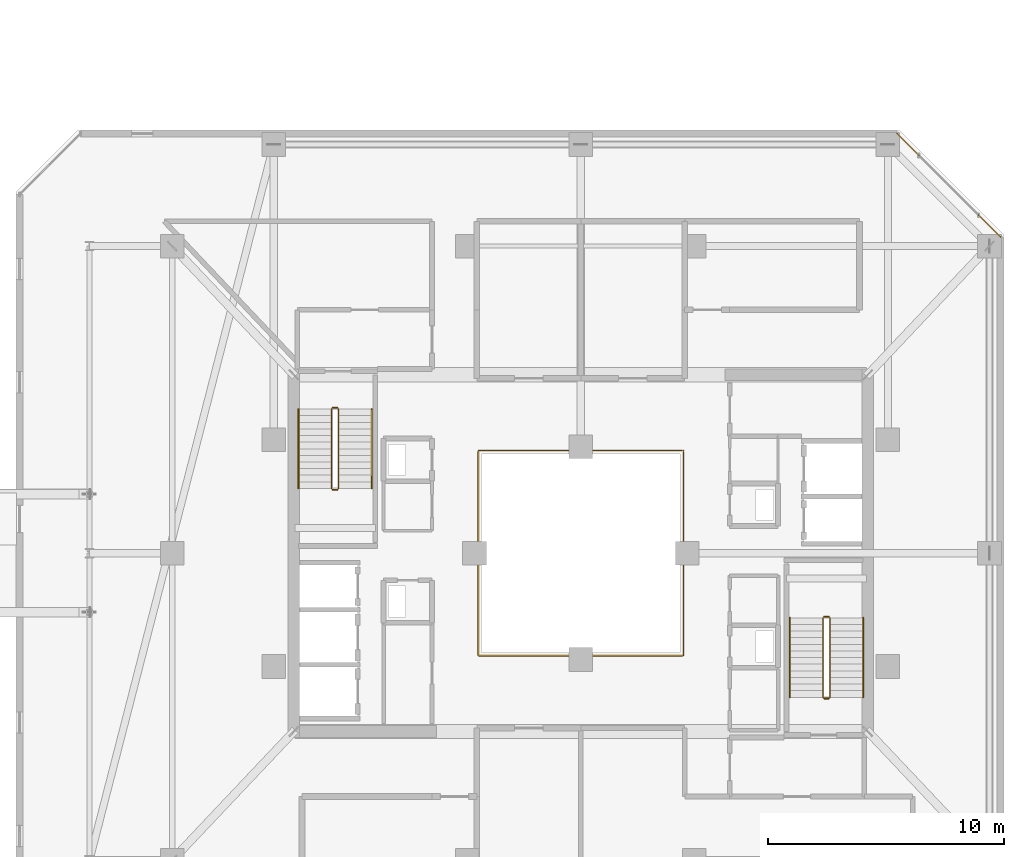
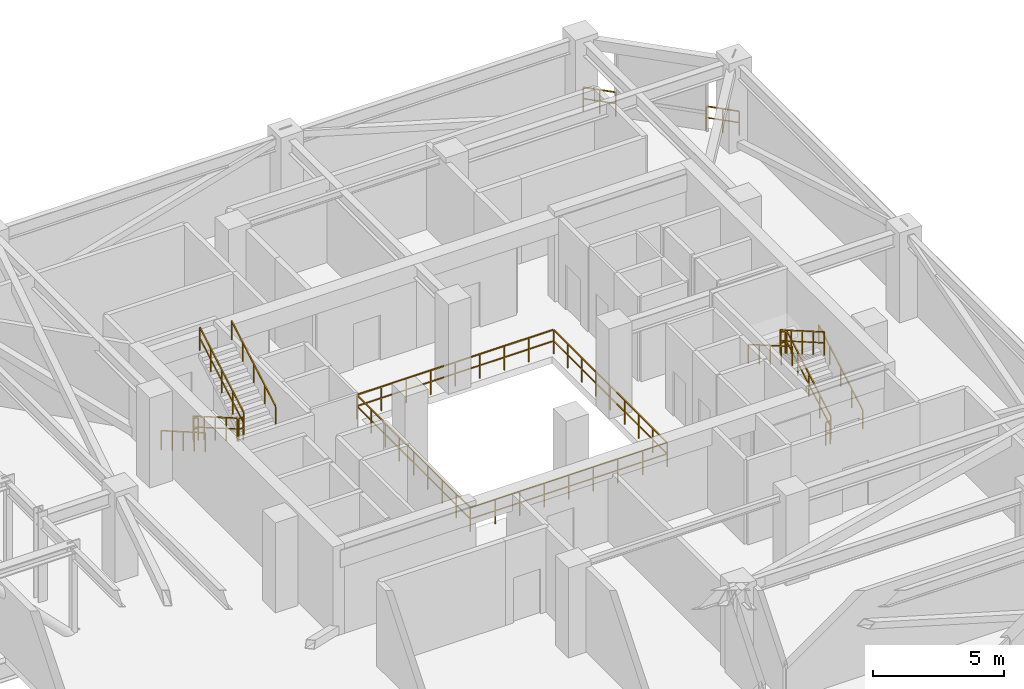
# One storey, part 42 of 42: 15 railings.
"""IFC4 building model written with IfcOpenShell, lengths in metres."""

from ifc_helpers import new_model, si_unit, direction, frame, origin, origin_2d, place, context, subcontext, project, spatial, rectangle, extrude, material, type_object, element, save


model = new_model("IFC4")

# Units and contexts
model_context = context("Model", 3, precision=1e-05, world=origin(), true_north=direction((0.0, 1.0)))
body_context = subcontext(model_context, "Body", "Model", "MODEL_VIEW")
ifc_project = project(units=[si_unit("LENGTHUNIT", "METRE"), si_unit("AREAUNIT", "SQUARE_METRE"), si_unit("VOLUMEUNIT", "CUBIC_METRE"), si_unit("PLANEANGLEUNIT", "RADIAN"), si_unit("MASSUNIT", "GRAM", prefix="KILO")], contexts=[model_context])

# Site, building, storey
site_placement = place(None, origin())
site = spatial("IfcSite", under=ifc_project, at=site_placement, CompositionType="ELEMENT")
building_placement = place(site_placement, origin())
building = spatial("IfcBuilding", under=site, at=building_placement, Name="Thornwick Lancets Civic Towers", CompositionType="ELEMENT")
storey_placement = place(building_placement, frame((0.0, 0.0, 221.699951171875)))
storey = spatial("IfcBuildingStorey", under=building, at=storey_placement, Name="L59", CompositionType="ELEMENT", Elevation=221.699951171875)

# Railings
ifc_material_1 = material(Name="Laminated glass and bronze steel S355", Category="steel")
railing_type_1 = type_object("IfcRailingType", Name="RAIL_ATRIUM_GUARD", PredefinedType="BALUSTRADE", material=ifc_material_1)
railing_1_placement = place(storey_placement, frame((84.159912109375, 22.659912109375, 0.0)))
element("IfcRailing", 1, at=railing_1_placement, inside=storey, type_object=railing_type_1, Name="L59 Tower B Central Atrium Guard Balustrade", PredefinedType="BALUSTRADE", context=body_context, shape_type="SweptSolid", body=[
    extrude(rectangle(XDim=0.048095703125, YDim=0.048095703125, at=origin_2d()), frame((0.0, 0.0, 1.1259765625), z_axis=(1.0, 0.0, 0.0), x_axis=(0.0, 1.0, 0.0)), (0.0, 0.0, 1.0), 8.64892578125),
    extrude(rectangle(XDim=0.0419921875, YDim=0.0419921875, at=origin_2d()), frame((0.03759765625, 0.0, 0.597900390625), z_axis=(1.0, 0.0, 0.0), x_axis=(0.0, 1.0, 0.0)), (0.0, 0.0, 1.0), 1.010009765625),
    extrude(rectangle(XDim=0.0419921875, YDim=0.0419921875, at=origin_2d()), frame((1.12255859375, 0.0, 0.597900390625), z_axis=(1.0, 0.0, 0.0), x_axis=(0.0, 1.0, 0.0)), (0.0, 0.0, 1.0), 1.010009765625),
    extrude(rectangle(XDim=0.0419921875, YDim=0.0419921875, at=origin_2d()), frame((2.20751953125, 0.0, 0.597900390625), z_axis=(1.0, 0.0, 0.0), x_axis=(0.0, 1.0, 0.0)), (0.0, 0.0, 1.0), 1.010009765625),
    extrude(rectangle(XDim=0.0419921875, YDim=0.0419921875, at=origin_2d()), frame((3.29248046875, 0.0, 0.597900390625), z_axis=(1.0, 0.0, 0.0), x_axis=(0.0, 1.0, 0.0)), (0.0, 0.0, 1.0), 1.010009765625),
    extrude(rectangle(XDim=0.0419921875, YDim=0.0419921875, at=origin_2d()), frame((4.377685546875, 0.0, 0.597900390625), z_axis=(1.0, 0.0, 0.0), x_axis=(0.0, 1.0, 0.0)), (0.0, 0.0, 1.0), 1.010009765625),
    extrude(rectangle(XDim=0.0419921875, YDim=0.0419921875, at=origin_2d()), frame((5.462646484375, 0.0, 0.597900390625), z_axis=(1.0, 0.0, 0.0), x_axis=(0.0, 1.0, 0.0)), (0.0, 0.0, 1.0), 1.010009765625),
    extrude(rectangle(XDim=0.0419921875, YDim=0.0419921875, at=origin_2d()), frame((6.547607421875, 0.0, 0.597900390625), z_axis=(1.0, 0.0, 0.0), x_axis=(0.0, 1.0, 0.0)), (0.0, 0.0, 1.0), 1.010009765625),
    extrude(rectangle(XDim=0.0419921875, YDim=0.0419921875, at=origin_2d()), frame((7.632568359375, 0.0, 0.597900390625), z_axis=(1.0, 0.0, 0.0), x_axis=(0.0, 1.0, 0.0)), (0.0, 0.0, 1.0), 1.010009765625),
    extrude(rectangle(XDim=0.048095703125, YDim=0.048095703125, at=origin_2d()), frame((8.68017578125, 0.03125, 1.1259765625), z_axis=(0.0, 1.0, 0.0), x_axis=(-1.0, 0.0, 0.0)), (0.0, 0.0, 1.0), 8.61767578125),
    extrude(rectangle(XDim=0.0419921875, YDim=0.0419921875, at=origin_2d()), frame((8.68017578125, 0.03759765625, 0.597900390625), z_axis=(0.0, 1.0, 0.0), x_axis=(-1.0, 0.0, 0.0)), (0.0, 0.0, 1.0), 1.010009765625),
    extrude(rectangle(XDim=0.0419921875, YDim=0.0419921875, at=origin_2d()), frame((8.68017578125, 1.12255859375, 0.597900390625), z_axis=(0.0, 1.0, 0.0), x_axis=(-1.0, 0.0, 0.0)), (0.0, 0.0, 1.0), 1.010009765625),
    extrude(rectangle(XDim=0.0419921875, YDim=0.0419921875, at=origin_2d()), frame((8.68017578125, 2.20751953125, 0.597900390625), z_axis=(0.0, 1.0, 0.0), x_axis=(-1.0, 0.0, 0.0)), (0.0, 0.0, 1.0), 1.010009765625),
    extrude(rectangle(XDim=0.0419921875, YDim=0.0419921875, at=origin_2d()), frame((8.68017578125, 3.29248046875, 0.597900390625), z_axis=(0.0, 1.0, 0.0), x_axis=(-1.0, 0.0, 0.0)), (0.0, 0.0, 1.0), 1.010009765625),
    extrude(rectangle(XDim=0.0419921875, YDim=0.0419921875, at=origin_2d()), frame((8.68017578125, 4.377685546875, 0.597900390625), z_axis=(0.0, 1.0, 0.0), x_axis=(-1.0, 0.0, 0.0)), (0.0, 0.0, 1.0), 1.010009765625),
    extrude(rectangle(XDim=0.0419921875, YDim=0.0419921875, at=origin_2d()), frame((8.68017578125, 5.462646484375, 0.597900390625), z_axis=(0.0, 1.0, 0.0), x_axis=(-1.0, 0.0, 0.0)), (0.0, 0.0, 1.0), 1.010009765625),
    extrude(rectangle(XDim=0.0419921875, YDim=0.0419921875, at=origin_2d()), frame((8.68017578125, 6.547607421875, 0.597900390625), z_axis=(0.0, 1.0, 0.0), x_axis=(-1.0, 0.0, 0.0)), (0.0, 0.0, 1.0), 1.010009765625),
    extrude(rectangle(XDim=0.0419921875, YDim=0.0419921875, at=origin_2d()), frame((8.68017578125, 7.632568359375, 0.597900390625), z_axis=(0.0, 1.0, 0.0), x_axis=(-1.0, 0.0, 0.0)), (0.0, 0.0, 1.0), 1.010009765625),
    extrude(rectangle(XDim=0.048095703125, YDim=0.048095703125, at=origin_2d()), frame((8.64892578125, 8.68017578125, 1.1259765625), z_axis=(-1.0, 0.0, 0.0), x_axis=(0.0, -1.0, 0.0)), (0.0, 0.0, 1.0), 8.61767578125),
    extrude(rectangle(XDim=0.0419921875, YDim=0.0419921875, at=origin_2d()), frame((8.642578125, 8.68017578125, 0.597900390625), z_axis=(-1.0, 0.0, 0.0), x_axis=(0.0, -1.0, 0.0)), (0.0, 0.0, 1.0), 1.010009765625),
    extrude(rectangle(XDim=0.0419921875, YDim=0.0419921875, at=origin_2d()), frame((7.5576171875, 8.68017578125, 0.597900390625), z_axis=(-1.0, 0.0, 0.0), x_axis=(0.0, -1.0, 0.0)), (0.0, 0.0, 1.0), 1.010009765625),
    extrude(rectangle(XDim=0.0419921875, YDim=0.0419921875, at=origin_2d()), frame((6.47265625, 8.68017578125, 0.597900390625), z_axis=(-1.0, 0.0, 0.0), x_axis=(0.0, -1.0, 0.0)), (0.0, 0.0, 1.0), 1.010009765625),
    extrude(rectangle(XDim=0.0419921875, YDim=0.0419921875, at=origin_2d()), frame((5.3876953125, 8.68017578125, 0.597900390625), z_axis=(-1.0, 0.0, 0.0), x_axis=(0.0, -1.0, 0.0)), (0.0, 0.0, 1.0), 1.010009765625),
    extrude(rectangle(XDim=0.0419921875, YDim=0.0419921875, at=origin_2d()), frame((4.302490234375, 8.68017578125, 0.597900390625), z_axis=(-1.0, 0.0, 0.0), x_axis=(0.0, -1.0, 0.0)), (0.0, 0.0, 1.0), 1.010009765625),
    extrude(rectangle(XDim=0.0419921875, YDim=0.0419921875, at=origin_2d()), frame((3.217529296875, 8.68017578125, 0.597900390625), z_axis=(-1.0, 0.0, 0.0), x_axis=(0.0, -1.0, 0.0)), (0.0, 0.0, 1.0), 1.010009765625),
    extrude(rectangle(XDim=0.0419921875, YDim=0.0419921875, at=origin_2d()), frame((2.132568359375, 8.68017578125, 0.597900390625), z_axis=(-1.0, 0.0, 0.0), x_axis=(0.0, -1.0, 0.0)), (0.0, 0.0, 1.0), 1.010009765625),
    extrude(rectangle(XDim=0.0419921875, YDim=0.0419921875, at=origin_2d()), frame((1.047607421875, 8.68017578125, 0.597900390625), z_axis=(-1.0, 0.0, 0.0), x_axis=(0.0, -1.0, 0.0)), (0.0, 0.0, 1.0), 1.010009765625),
    extrude(rectangle(XDim=0.048095703125, YDim=0.048095703125, at=origin_2d()), frame((0.0, 8.64892578125, 1.1259765625), z_axis=(0.0, -1.0, 0.0), x_axis=(1.0, 0.0, 0.0)), (0.0, 0.0, 1.0), 8.64892578125),
    extrude(rectangle(XDim=0.0419921875, YDim=0.0419921875, at=origin_2d()), frame((0.0, 8.642578125, 0.597900390625), z_axis=(0.0, -1.0, 0.0), x_axis=(1.0, 0.0, 0.0)), (0.0, 0.0, 1.0), 1.010009765625),
    extrude(rectangle(XDim=0.0419921875, YDim=0.0419921875, at=origin_2d()), frame((0.0, 7.5576171875, 0.597900390625), z_axis=(0.0, -1.0, 0.0), x_axis=(1.0, 0.0, 0.0)), (0.0, 0.0, 1.0), 1.010009765625),
    extrude(rectangle(XDim=0.0419921875, YDim=0.0419921875, at=origin_2d()), frame((0.0, 6.47265625, 0.597900390625), z_axis=(0.0, -1.0, 0.0), x_axis=(1.0, 0.0, 0.0)), (0.0, 0.0, 1.0), 1.010009765625),
    extrude(rectangle(XDim=0.0419921875, YDim=0.0419921875, at=origin_2d()), frame((0.0, 5.3876953125, 0.597900390625), z_axis=(0.0, -1.0, 0.0), x_axis=(1.0, 0.0, 0.0)), (0.0, 0.0, 1.0), 1.010009765625),
    extrude(rectangle(XDim=0.0419921875, YDim=0.0419921875, at=origin_2d()), frame((0.0, 4.302490234375, 0.597900390625), z_axis=(0.0, -1.0, 0.0), x_axis=(1.0, 0.0, 0.0)), (0.0, 0.0, 1.0), 1.010009765625),
    extrude(rectangle(XDim=0.0419921875, YDim=0.0419921875, at=origin_2d()), frame((0.0, 3.217529296875, 0.597900390625), z_axis=(0.0, -1.0, 0.0), x_axis=(1.0, 0.0, 0.0)), (0.0, 0.0, 1.0), 1.010009765625),
    extrude(rectangle(XDim=0.0419921875, YDim=0.0419921875, at=origin_2d()), frame((0.0, 2.132568359375, 0.597900390625), z_axis=(0.0, -1.0, 0.0), x_axis=(1.0, 0.0, 0.0)), (0.0, 0.0, 1.0), 1.010009765625),
    extrude(rectangle(XDim=0.0419921875, YDim=0.0419921875, at=origin_2d()), frame((0.0, 1.047607421875, 0.597900390625), z_axis=(0.0, -1.0, 0.0), x_axis=(1.0, 0.0, 0.0)), (0.0, 0.0, 1.0), 1.010009765625),
    extrude(rectangle(XDim=0.0419921875, YDim=0.0419921875, at=origin_2d()), origin(), (0.0, 0.0, 1.0), 1.095703125),
    extrude(rectangle(XDim=0.0419921875, YDim=0.0419921875, at=origin_2d()), frame((1.0849609375, 0.0, 0.0)), (0.0, 0.0, 1.0), 1.095703125),
    extrude(rectangle(XDim=0.0419921875, YDim=0.0419921875, at=origin_2d()), frame((2.169921875, 0.0, 0.0)), (0.0, 0.0, 1.0), 1.095703125),
    extrude(rectangle(XDim=0.0419921875, YDim=0.0419921875, at=origin_2d()), frame((3.255126953125, 0.0, 0.0)), (0.0, 0.0, 1.0), 1.095703125),
    extrude(rectangle(XDim=0.0419921875, YDim=0.0419921875, at=origin_2d()), frame((4.340087890625, 0.0, 0.0)), (0.0, 0.0, 1.0), 1.095703125),
    extrude(rectangle(XDim=0.0419921875, YDim=0.0419921875, at=origin_2d()), frame((5.425048828125, 0.0, 0.0)), (0.0, 0.0, 1.0), 1.095703125),
    extrude(rectangle(XDim=0.0419921875, YDim=0.0419921875, at=origin_2d()), frame((6.51025390625, 0.0, 0.0)), (0.0, 0.0, 1.0), 1.095703125),
    extrude(rectangle(XDim=0.0419921875, YDim=0.0419921875, at=origin_2d()), frame((7.59521484375, 0.0, 0.0)), (0.0, 0.0, 1.0), 1.095703125),
    extrude(rectangle(XDim=0.0419921875, YDim=0.0419921875, at=origin_2d()), frame((8.68017578125, 0.0, 0.0)), (0.0, 0.0, 1.0), 1.095703125),
    extrude(rectangle(XDim=0.0419921875, YDim=0.0419921875, at=origin_2d()), frame((8.68017578125, 1.0849609375, 0.0)), (0.0, 0.0, 1.0), 1.095703125),
    extrude(rectangle(XDim=0.0419921875, YDim=0.0419921875, at=origin_2d()), frame((8.68017578125, 2.169921875, 0.0)), (0.0, 0.0, 1.0), 1.095703125),
    extrude(rectangle(XDim=0.0419921875, YDim=0.0419921875, at=origin_2d()), frame((8.68017578125, 3.255126953125, 0.0)), (0.0, 0.0, 1.0), 1.095703125),
    extrude(rectangle(XDim=0.0419921875, YDim=0.0419921875, at=origin_2d()), frame((8.68017578125, 4.340087890625, 0.0)), (0.0, 0.0, 1.0), 1.095703125),
    extrude(rectangle(XDim=0.0419921875, YDim=0.0419921875, at=origin_2d()), frame((8.68017578125, 5.425048828125, 0.0)), (0.0, 0.0, 1.0), 1.095703125),
    extrude(rectangle(XDim=0.0419921875, YDim=0.0419921875, at=origin_2d()), frame((8.68017578125, 6.51025390625, 0.0)), (0.0, 0.0, 1.0), 1.095703125),
    extrude(rectangle(XDim=0.0419921875, YDim=0.0419921875, at=origin_2d()), frame((8.68017578125, 7.59521484375, 0.0)), (0.0, 0.0, 1.0), 1.095703125),
    extrude(rectangle(XDim=0.0419921875, YDim=0.0419921875, at=origin_2d()), frame((8.68017578125, 8.68017578125, 0.0)), (0.0, 0.0, 1.0), 1.095703125),
    extrude(rectangle(XDim=0.0419921875, YDim=0.0419921875, at=origin_2d()), frame((7.59521484375, 8.68017578125, 0.0)), (0.0, 0.0, 1.0), 1.095703125),
    extrude(rectangle(XDim=0.0419921875, YDim=0.0419921875, at=origin_2d()), frame((6.51025390625, 8.68017578125, 0.0)), (0.0, 0.0, 1.0), 1.095703125),
    extrude(rectangle(XDim=0.0419921875, YDim=0.0419921875, at=origin_2d()), frame((5.425048828125, 8.68017578125, 0.0)), (0.0, 0.0, 1.0), 1.095703125),
    extrude(rectangle(XDim=0.0419921875, YDim=0.0419921875, at=origin_2d()), frame((4.340087890625, 8.68017578125, 0.0)), (0.0, 0.0, 1.0), 1.095703125),
    extrude(rectangle(XDim=0.0419921875, YDim=0.0419921875, at=origin_2d()), frame((3.255126953125, 8.68017578125, 0.0)), (0.0, 0.0, 1.0), 1.095703125),
    extrude(rectangle(XDim=0.0419921875, YDim=0.0419921875, at=origin_2d()), frame((2.169921875, 8.68017578125, 0.0)), (0.0, 0.0, 1.0), 1.095703125),
    extrude(rectangle(XDim=0.0419921875, YDim=0.0419921875, at=origin_2d()), frame((1.0849609375, 8.68017578125, 0.0)), (0.0, 0.0, 1.0), 1.095703125),
    extrude(rectangle(XDim=0.0419921875, YDim=0.0419921875, at=origin_2d()), frame((0.0, 8.68017578125, 0.0)), (0.0, 0.0, 1.0), 1.095703125),
    extrude(rectangle(XDim=0.0419921875, YDim=0.0419921875, at=origin_2d()), frame((0.0, 7.59521484375, 0.0)), (0.0, 0.0, 1.0), 1.095703125),
    extrude(rectangle(XDim=0.0419921875, YDim=0.0419921875, at=origin_2d()), frame((0.0, 6.51025390625, 0.0)), (0.0, 0.0, 1.0), 1.095703125),
    extrude(rectangle(XDim=0.0419921875, YDim=0.0419921875, at=origin_2d()), frame((0.0, 5.425048828125, 0.0)), (0.0, 0.0, 1.0), 1.095703125),
    extrude(rectangle(XDim=0.0419921875, YDim=0.0419921875, at=origin_2d()), frame((0.0, 4.340087890625, 0.0)), (0.0, 0.0, 1.0), 1.095703125),
    extrude(rectangle(XDim=0.0419921875, YDim=0.0419921875, at=origin_2d()), frame((0.0, 3.255126953125, 0.0)), (0.0, 0.0, 1.0), 1.095703125),
    extrude(rectangle(XDim=0.0419921875, YDim=0.0419921875, at=origin_2d()), frame((0.0, 2.169921875, 0.0)), (0.0, 0.0, 1.0), 1.095703125),
    extrude(rectangle(XDim=0.0419921875, YDim=0.0419921875, at=origin_2d()), frame((0.0, 1.0849609375, 0.0)), (0.0, 0.0, 1.0), 1.095703125),
])
ifc_material_2 = material(Name="Brushed stainless steel S355", Category="steel")
railing_type_2 = type_object("IfcRailingType", Name="RAIL_HANDRAIL", PredefinedType="HANDRAIL", material=ifc_material_2)
railing_2_placement = place(storey_placement, frame((100.449951171875, 20.89990234375, 0.16162109375)))
element("IfcRailing", 2, at=railing_2_placement, inside=storey, type_object=railing_type_2, Name="L59 ST-B1 stair handrail 1", PredefinedType="HANDRAIL", context=body_context, shape_type="SweptSolid", body=[
    extrude(rectangle(XDim=0.048095703125, YDim=0.048095703125, at=origin_2d()), frame((0.0, 0.0, 0.8857421875), z_axis=(0.0, 0.866190824863, 0.499713372768), x_axis=(-1.0, 0.0, 0.0)), (0.0, 0.0, 1.0), 3.879150390625),
    extrude(rectangle(XDim=0.0419921875, YDim=0.0419921875, at=origin_2d()), origin(), (0.0, 0.0, 1.0), 0.855712890625),
    extrude(rectangle(XDim=0.0419921875, YDim=0.0419921875, at=origin_2d()), frame((0.0, 0.840087890625, 0.484619140625)), (0.0, 0.0, 1.0), 0.855712890625),
    extrude(rectangle(XDim=0.0419921875, YDim=0.0419921875, at=origin_2d()), frame((0.0, 1.68017578125, 0.96923828125)), (0.0, 0.0, 1.0), 0.855712890625),
    extrude(rectangle(XDim=0.0419921875, YDim=0.0419921875, at=origin_2d()), frame((0.0, 2.52001953125, 1.453857421875)), (0.0, 0.0, 1.0), 0.855712890625),
    extrude(rectangle(XDim=0.0419921875, YDim=0.0419921875, at=origin_2d()), frame((0.0, 3.360107421875, 1.9384765625)), (0.0, 0.0, 1.0), 0.855712890625),
])
for number, where, name in (
    (3, (97.35009765625, 24.260009765625, 2.261474609375), "L59 ST-B1 stair handrail 2"),
    (4, (76.550048828125, 33.10009765625, 0.16162109375), "L59 ST-B2 stair handrail 1"),
):
    element("IfcRailing", number, at=place(storey_placement, frame(where)), inside=storey, type_object=railing_type_2, Name=name, PredefinedType="HANDRAIL", context=body_context, shape_type="SweptSolid", body=[
        extrude(rectangle(XDim=0.048095703125, YDim=0.048095703125, at=origin_2d()), frame((0.0, 0.0, 0.8857421875), z_axis=(0.0, -0.866190824863, 0.499713372768), x_axis=(1.0, 0.0, 0.0)), (0.0, 0.0, 1.0), 3.879150390625),
        extrude(rectangle(XDim=0.0419921875, YDim=0.0419921875, at=origin_2d()), origin(), (0.0, 0.0, 1.0), 0.855712890625),
        extrude(rectangle(XDim=0.0419921875, YDim=0.0419921875, at=origin_2d()), frame((0.0, -0.840087890625, 0.484619140625)), (0.0, 0.0, 1.0), 0.855712890625),
        extrude(rectangle(XDim=0.0419921875, YDim=0.0419921875, at=origin_2d()), frame((0.0, -1.68017578125, 0.96923828125)), (0.0, 0.0, 1.0), 0.855712890625),
        extrude(rectangle(XDim=0.0419921875, YDim=0.0419921875, at=origin_2d()), frame((0.0, -2.52001953125, 1.453857421875)), (0.0, 0.0, 1.0), 0.855712890625),
        extrude(rectangle(XDim=0.0419921875, YDim=0.0419921875, at=origin_2d()), frame((0.0, -3.360107421875, 1.9384765625)), (0.0, 0.0, 1.0), 0.855712890625),
    ])
railing_3_placement = place(storey_placement, frame((79.64990234375, 29.739990234375, 2.261474609375)))
element("IfcRailing", 5, at=railing_3_placement, inside=storey, type_object=railing_type_2, Name="L59 ST-B2 stair handrail 2", PredefinedType="HANDRAIL", context=body_context, shape_type="SweptSolid", body=[
    extrude(rectangle(XDim=0.048095703125, YDim=0.048095703125, at=origin_2d()), frame((0.0, 0.0, 0.8857421875), z_axis=(0.0, 0.866190824863, 0.499713372768), x_axis=(-1.0, 0.0, 0.0)), (0.0, 0.0, 1.0), 3.879150390625),
    extrude(rectangle(XDim=0.0419921875, YDim=0.0419921875, at=origin_2d()), origin(), (0.0, 0.0, 1.0), 0.855712890625),
    extrude(rectangle(XDim=0.0419921875, YDim=0.0419921875, at=origin_2d()), frame((0.0, 0.840087890625, 0.484619140625)), (0.0, 0.0, 1.0), 0.855712890625),
    extrude(rectangle(XDim=0.0419921875, YDim=0.0419921875, at=origin_2d()), frame((0.0, 1.68017578125, 0.96923828125)), (0.0, 0.0, 1.0), 0.855712890625),
    extrude(rectangle(XDim=0.0419921875, YDim=0.0419921875, at=origin_2d()), frame((0.0, 2.52001953125, 1.453857421875)), (0.0, 0.0, 1.0), 0.855712890625),
    extrude(rectangle(XDim=0.0419921875, YDim=0.0419921875, at=origin_2d()), frame((0.0, 3.360107421875, 1.9384765625)), (0.0, 0.0, 1.0), 0.855712890625),
])
ifc_material_3 = material(Name="Steel S355JR", Category="steel")
railing_type_3 = type_object("IfcRailingType", Name="RAIL_STAIR_GUARD", PredefinedType="GUARDRAIL", material=ifc_material_3)
railing_4_placement = place(storey_placement, frame((99.050048828125, 20.89990234375, 0.16162109375)))
element("IfcRailing", 6, at=railing_4_placement, inside=storey, type_object=railing_type_3, Name="L59 ST-B1 stair guard 1", PredefinedType="GUARDRAIL", context=body_context, shape_type="SweptSolid", body=[
    extrude(rectangle(XDim=0.048095703125, YDim=0.048095703125, at=origin_2d()), frame((0.0, 0.0, 1.076171875), z_axis=(0.0, 0.866190824863, 0.499713372768), x_axis=(-1.0, 0.0, 0.0)), (0.0, 0.0, 1.0), 3.879150390625),
    extrude(rectangle(XDim=0.0419921875, YDim=0.0419921875, at=origin_2d()), frame((0.0, 0.032470703125, 0.5908203125), z_axis=(0.0, 0.866190824863, 0.499713372768), x_axis=(-1.0, 0.0, 0.0)), (0.0, 0.0, 1.0), 0.894775390625),
    extrude(rectangle(XDim=0.0419921875, YDim=0.0419921875, at=origin_2d()), frame((0.0, 0.87255859375, 1.075439453125), z_axis=(0.0, 0.866190824863, 0.499713372768), x_axis=(-1.0, 0.0, 0.0)), (0.0, 0.0, 1.0), 0.894775390625),
    extrude(rectangle(XDim=0.0419921875, YDim=0.0419921875, at=origin_2d()), frame((0.0, 1.712646484375, 1.56005859375), z_axis=(0.0, 0.866190824863, 0.499713372768), x_axis=(-1.0, 0.0, 0.0)), (0.0, 0.0, 1.0), 0.894775390625),
    extrude(rectangle(XDim=0.0419921875, YDim=0.0419921875, at=origin_2d()), frame((0.0, 2.552490234375, 2.044677734375), z_axis=(0.0, 0.866190824863, 0.499713372768), x_axis=(-1.0, 0.0, 0.0)), (0.0, 0.0, 1.0), 0.894775390625),
    extrude(rectangle(XDim=0.0419921875, YDim=0.0419921875, at=origin_2d()), origin(), (0.0, 0.0, 1.0), 1.0458984375),
    extrude(rectangle(XDim=0.0419921875, YDim=0.0419921875, at=origin_2d()), frame((0.0, 0.840087890625, 0.484619140625)), (0.0, 0.0, 1.0), 1.0458984375),
    extrude(rectangle(XDim=0.0419921875, YDim=0.0419921875, at=origin_2d()), frame((0.0, 1.68017578125, 0.96923828125)), (0.0, 0.0, 1.0), 1.0458984375),
    extrude(rectangle(XDim=0.0419921875, YDim=0.0419921875, at=origin_2d()), frame((0.0, 2.52001953125, 1.453857421875)), (0.0, 0.0, 1.0), 1.0458984375),
    extrude(rectangle(XDim=0.0419921875, YDim=0.0419921875, at=origin_2d()), frame((0.0, 3.360107421875, 1.9384765625)), (0.0, 0.0, 1.0), 1.0458984375),
])
railing_5_placement = place(storey_placement, frame((99.0, 24.31005859375, 2.10009765625)))
element("IfcRailing", 7, at=railing_5_placement, inside=storey, type_object=railing_type_3, Name="L59 ST-B1 stair guard 2", PredefinedType="GUARDRAIL", context=body_context, shape_type="SweptSolid", body=[
    extrude(rectangle(XDim=0.048095703125, YDim=0.048095703125, at=origin_2d()), frame((0.0, 0.0, 1.076171875), z_axis=(-1.0, 0.0, 0.0), x_axis=(0.0, -1.0, 0.0)), (0.0, 0.0, 1.0), 0.199951171875),
    extrude(rectangle(XDim=0.0419921875, YDim=0.0419921875, at=origin_2d()), frame((-0.03759765625, 0.0, 0.572021484375), z_axis=(-1.0, 0.0, 0.0), x_axis=(0.0, -1.0, 0.0)), (0.0, 0.0, 1.0), 0.125),
    extrude(rectangle(XDim=0.0419921875, YDim=0.0419921875, at=origin_2d()), origin(), (0.0, 0.0, 1.0), 1.0458984375),
    extrude(rectangle(XDim=0.0419921875, YDim=0.0419921875, at=origin_2d()), frame((-0.199951171875, 0.0, 0.0)), (0.0, 0.0, 1.0), 1.0458984375),
])
railing_6_placement = place(storey_placement, frame((98.75, 24.260009765625, 2.261474609375)))
element("IfcRailing", 8, at=railing_6_placement, inside=storey, type_object=railing_type_3, Name="L59 ST-B1 stair guard 3", PredefinedType="GUARDRAIL", context=body_context, shape_type="SweptSolid", body=[
    extrude(rectangle(XDim=0.048095703125, YDim=0.048095703125, at=origin_2d()), frame((0.0, 0.0, 1.076171875), z_axis=(0.0, -0.866190824863, 0.499713372768), x_axis=(1.0, 0.0, 0.0)), (0.0, 0.0, 1.0), 3.879150390625),
    extrude(rectangle(XDim=0.0419921875, YDim=0.0419921875, at=origin_2d()), frame((0.0, -0.032470703125, 0.5908203125), z_axis=(0.0, -0.866190824863, 0.499713372768), x_axis=(1.0, 0.0, 0.0)), (0.0, 0.0, 1.0), 0.894775390625),
    extrude(rectangle(XDim=0.0419921875, YDim=0.0419921875, at=origin_2d()), frame((0.0, -0.87255859375, 1.075439453125), z_axis=(0.0, -0.866190824863, 0.499713372768), x_axis=(1.0, 0.0, 0.0)), (0.0, 0.0, 1.0), 0.894775390625),
    extrude(rectangle(XDim=0.0419921875, YDim=0.0419921875, at=origin_2d()), frame((0.0, -1.712646484375, 1.56005859375), z_axis=(0.0, -0.866190824863, 0.499713372768), x_axis=(1.0, 0.0, 0.0)), (0.0, 0.0, 1.0), 0.894775390625),
    extrude(rectangle(XDim=0.0419921875, YDim=0.0419921875, at=origin_2d()), frame((0.0, -2.552490234375, 2.044677734375), z_axis=(0.0, -0.866190824863, 0.499713372768), x_axis=(1.0, 0.0, 0.0)), (0.0, 0.0, 1.0), 0.894775390625),
    extrude(rectangle(XDim=0.0419921875, YDim=0.0419921875, at=origin_2d()), origin(), (0.0, 0.0, 1.0), 1.0458984375),
    extrude(rectangle(XDim=0.0419921875, YDim=0.0419921875, at=origin_2d()), frame((0.0, -0.840087890625, 0.484619140625)), (0.0, 0.0, 1.0), 1.0458984375),
    extrude(rectangle(XDim=0.0419921875, YDim=0.0419921875, at=origin_2d()), frame((0.0, -1.68017578125, 0.96923828125)), (0.0, 0.0, 1.0), 1.0458984375),
    extrude(rectangle(XDim=0.0419921875, YDim=0.0419921875, at=origin_2d()), frame((0.0, -2.52001953125, 1.453857421875)), (0.0, 0.0, 1.0), 1.0458984375),
    extrude(rectangle(XDim=0.0419921875, YDim=0.0419921875, at=origin_2d()), frame((0.0, -3.360107421875, 1.9384765625)), (0.0, 0.0, 1.0), 1.0458984375),
])
railing_7_placement = place(storey_placement, frame((99.0, 20.85009765625, 0.0)))
element("IfcRailing", 9, at=railing_7_placement, inside=storey, type_object=railing_type_3, Name="L59 ST-B1 stair guard 4", PredefinedType="GUARDRAIL", context=body_context, shape_type="SweptSolid", body=[
    extrude(rectangle(XDim=0.048095703125, YDim=0.048095703125, at=origin_2d()), frame((0.0, 0.0, 1.076171875), z_axis=(-1.0, 0.0, 0.0), x_axis=(0.0, -1.0, 0.0)), (0.0, 0.0, 1.0), 0.199951171875),
    extrude(rectangle(XDim=0.0419921875, YDim=0.0419921875, at=origin_2d()), frame((-0.03759765625, 0.0, 0.572021484375), z_axis=(-1.0, 0.0, 0.0), x_axis=(0.0, -1.0, 0.0)), (0.0, 0.0, 1.0), 0.125),
    extrude(rectangle(XDim=0.0419921875, YDim=0.0419921875, at=origin_2d()), origin(), (0.0, 0.0, 1.0), 1.0458984375),
    extrude(rectangle(XDim=0.0419921875, YDim=0.0419921875, at=origin_2d()), frame((-0.199951171875, 0.0, 0.0)), (0.0, 0.0, 1.0), 1.0458984375),
])
railing_8_placement = place(storey_placement, frame((77.949951171875, 33.10009765625, 0.16162109375)))
element("IfcRailing", 10, at=railing_8_placement, inside=storey, type_object=railing_type_3, Name="L59 ST-B2 stair guard 1", PredefinedType="GUARDRAIL", context=body_context, shape_type="SweptSolid", body=[
    extrude(rectangle(XDim=0.048095703125, YDim=0.048095703125, at=origin_2d()), frame((0.0, 0.0, 1.076171875), z_axis=(0.0, -0.866190824863, 0.499713372768), x_axis=(1.0, 0.0, 0.0)), (0.0, 0.0, 1.0), 3.879150390625),
    extrude(rectangle(XDim=0.0419921875, YDim=0.0419921875, at=origin_2d()), frame((0.0, -0.032470703125, 0.5908203125), z_axis=(0.0, -0.866190824863, 0.499713372768), x_axis=(1.0, 0.0, 0.0)), (0.0, 0.0, 1.0), 0.894775390625),
    extrude(rectangle(XDim=0.0419921875, YDim=0.0419921875, at=origin_2d()), frame((0.0, -0.87255859375, 1.075439453125), z_axis=(0.0, -0.866190824863, 0.499713372768), x_axis=(1.0, 0.0, 0.0)), (0.0, 0.0, 1.0), 0.894775390625),
    extrude(rectangle(XDim=0.0419921875, YDim=0.0419921875, at=origin_2d()), frame((0.0, -1.712646484375, 1.56005859375), z_axis=(0.0, -0.866190824863, 0.499713372768), x_axis=(1.0, 0.0, 0.0)), (0.0, 0.0, 1.0), 0.894775390625),
    extrude(rectangle(XDim=0.0419921875, YDim=0.0419921875, at=origin_2d()), frame((0.0, -2.552490234375, 2.044677734375), z_axis=(0.0, -0.866190824863, 0.499713372768), x_axis=(1.0, 0.0, 0.0)), (0.0, 0.0, 1.0), 0.894775390625),
    extrude(rectangle(XDim=0.0419921875, YDim=0.0419921875, at=origin_2d()), origin(), (0.0, 0.0, 1.0), 1.0458984375),
    extrude(rectangle(XDim=0.0419921875, YDim=0.0419921875, at=origin_2d()), frame((0.0, -0.840087890625, 0.484619140625)), (0.0, 0.0, 1.0), 1.0458984375),
    extrude(rectangle(XDim=0.0419921875, YDim=0.0419921875, at=origin_2d()), frame((0.0, -1.68017578125, 0.96923828125)), (0.0, 0.0, 1.0), 1.0458984375),
    extrude(rectangle(XDim=0.0419921875, YDim=0.0419921875, at=origin_2d()), frame((0.0, -2.52001953125, 1.453857421875)), (0.0, 0.0, 1.0), 1.0458984375),
    extrude(rectangle(XDim=0.0419921875, YDim=0.0419921875, at=origin_2d()), frame((0.0, -3.360107421875, 1.9384765625)), (0.0, 0.0, 1.0), 1.0458984375),
])
railing_9_placement = place(storey_placement, frame((78.0, 29.68994140625, 2.10009765625)))
element("IfcRailing", 11, at=railing_9_placement, inside=storey, type_object=railing_type_3, Name="L59 ST-B2 stair guard 2", PredefinedType="GUARDRAIL", context=body_context, shape_type="SweptSolid", body=[
    extrude(rectangle(XDim=0.048095703125, YDim=0.048095703125, at=origin_2d()), frame((0.0, 0.0, 1.076171875), z_axis=(1.0, 0.0, 0.0), x_axis=(0.0, 1.0, 0.0)), (0.0, 0.0, 1.0), 0.199951171875),
    extrude(rectangle(XDim=0.0419921875, YDim=0.0419921875, at=origin_2d()), frame((0.03759765625, 0.0, 0.572021484375), z_axis=(1.0, 0.0, 0.0), x_axis=(0.0, 1.0, 0.0)), (0.0, 0.0, 1.0), 0.125),
    extrude(rectangle(XDim=0.0419921875, YDim=0.0419921875, at=origin_2d()), origin(), (0.0, 0.0, 1.0), 1.0458984375),
    extrude(rectangle(XDim=0.0419921875, YDim=0.0419921875, at=origin_2d()), frame((0.199951171875, 0.0, 0.0)), (0.0, 0.0, 1.0), 1.0458984375),
])
railing_10_placement = place(storey_placement, frame((78.25, 29.739990234375, 2.261474609375)))
element("IfcRailing", 12, at=railing_10_placement, inside=storey, type_object=railing_type_3, Name="L59 ST-B2 stair guard 3", PredefinedType="GUARDRAIL", context=body_context, shape_type="SweptSolid", body=[
    extrude(rectangle(XDim=0.048095703125, YDim=0.048095703125, at=origin_2d()), frame((0.0, 0.0, 1.076171875), z_axis=(0.0, 0.866190824863, 0.499713372768), x_axis=(-1.0, 0.0, 0.0)), (0.0, 0.0, 1.0), 3.879150390625),
    extrude(rectangle(XDim=0.0419921875, YDim=0.0419921875, at=origin_2d()), frame((0.0, 0.032470703125, 0.5908203125), z_axis=(0.0, 0.866190824863, 0.499713372768), x_axis=(-1.0, 0.0, 0.0)), (0.0, 0.0, 1.0), 0.894775390625),
    extrude(rectangle(XDim=0.0419921875, YDim=0.0419921875, at=origin_2d()), frame((0.0, 0.87255859375, 1.075439453125), z_axis=(0.0, 0.866190824863, 0.499713372768), x_axis=(-1.0, 0.0, 0.0)), (0.0, 0.0, 1.0), 0.894775390625),
    extrude(rectangle(XDim=0.0419921875, YDim=0.0419921875, at=origin_2d()), frame((0.0, 1.712646484375, 1.56005859375), z_axis=(0.0, 0.866190824863, 0.499713372768), x_axis=(-1.0, 0.0, 0.0)), (0.0, 0.0, 1.0), 0.894775390625),
    extrude(rectangle(XDim=0.0419921875, YDim=0.0419921875, at=origin_2d()), frame((0.0, 2.552490234375, 2.044677734375), z_axis=(0.0, 0.866190824863, 0.499713372768), x_axis=(-1.0, 0.0, 0.0)), (0.0, 0.0, 1.0), 0.894775390625),
    extrude(rectangle(XDim=0.0419921875, YDim=0.0419921875, at=origin_2d()), origin(), (0.0, 0.0, 1.0), 1.0458984375),
    extrude(rectangle(XDim=0.0419921875, YDim=0.0419921875, at=origin_2d()), frame((0.0, 0.840087890625, 0.484619140625)), (0.0, 0.0, 1.0), 1.0458984375),
    extrude(rectangle(XDim=0.0419921875, YDim=0.0419921875, at=origin_2d()), frame((0.0, 1.68017578125, 0.96923828125)), (0.0, 0.0, 1.0), 1.0458984375),
    extrude(rectangle(XDim=0.0419921875, YDim=0.0419921875, at=origin_2d()), frame((0.0, 2.52001953125, 1.453857421875)), (0.0, 0.0, 1.0), 1.0458984375),
    extrude(rectangle(XDim=0.0419921875, YDim=0.0419921875, at=origin_2d()), frame((0.0, 3.360107421875, 1.9384765625)), (0.0, 0.0, 1.0), 1.0458984375),
])
railing_11_placement = place(storey_placement, frame((78.0, 33.14990234375, 0.0)))
element("IfcRailing", 13, at=railing_11_placement, inside=storey, type_object=railing_type_3, Name="L59 ST-B2 stair guard 4", PredefinedType="GUARDRAIL", context=body_context, shape_type="SweptSolid", body=[
    extrude(rectangle(XDim=0.048095703125, YDim=0.048095703125, at=origin_2d()), frame((0.0, 0.0, 1.076171875), z_axis=(1.0, 0.0, 0.0), x_axis=(0.0, 1.0, 0.0)), (0.0, 0.0, 1.0), 0.199951171875),
    extrude(rectangle(XDim=0.0419921875, YDim=0.0419921875, at=origin_2d()), frame((0.03759765625, 0.0, 0.572021484375), z_axis=(1.0, 0.0, 0.0), x_axis=(0.0, 1.0, 0.0)), (0.0, 0.0, 1.0), 0.125),
    extrude(rectangle(XDim=0.0419921875, YDim=0.0419921875, at=origin_2d()), origin(), (0.0, 0.0, 1.0), 1.0458984375),
    extrude(rectangle(XDim=0.0419921875, YDim=0.0419921875, at=origin_2d()), frame((0.199951171875, 0.0, 0.0)), (0.0, 0.0, 1.0), 1.0458984375),
])
ifc_material_4 = material(Name="Terracotta-capped laminated glass balustrade S355", Category="masonry")
railing_type_4 = type_object("IfcRailingType", Name="RAIL_TERR_GUARD", PredefinedType="GUARDRAIL", material=ifc_material_4)
for number, where, name in (
    (14, (106.2587890625, 40.388427734375, 0.0), "L59 Tower B Chamfer Spandrel Guard E3-1"),
    (15, (102.8076171875, 43.839599609375, 0.0), "L59 Tower B Chamfer Spandrel Guard E3-2"),
):
    element("IfcRailing", number, at=place(storey_placement, frame(where)), inside=storey, type_object=railing_type_4, Name=name, PredefinedType="GUARDRAIL", context=body_context, shape_type="SweptSolid", body=[
        extrude(rectangle(XDim=0.048095703125, YDim=0.048095703125, at=origin_2d()), frame((0.0, 0.0, 1.1259765625), z_axis=(-0.707106781187, 0.707106781187, 0.0), x_axis=(-0.707106781187, -0.707106781187, 0.0)), (0.0, 0.0, 1.0), 1.300048828125),
        extrude(rectangle(XDim=0.0419921875, YDim=0.0419921875, at=origin_2d()), frame((-0.026611328125, 0.026611328125, 0.597900390625), z_axis=(-0.707106781187, 0.707106781187, 0.0), x_axis=(-0.707106781187, -0.707106781187, 0.0)), (0.0, 0.0, 1.0), 0.574951171875),
        extrude(rectangle(XDim=0.0419921875, YDim=0.0419921875, at=origin_2d()), frame((-0.486083984375, 0.486083984375, 0.597900390625), z_axis=(-0.707106781187, 0.707106781187, 0.0), x_axis=(-0.707106781187, -0.707106781187, 0.0)), (0.0, 0.0, 1.0), 0.574951171875),
        extrude(rectangle(XDim=0.0419921875, YDim=0.0419921875, at=origin_2d()), origin(), (0.0, 0.0, 1.0), 1.095703125),
        extrude(rectangle(XDim=0.0419921875, YDim=0.0419921875, at=origin_2d()), frame((-0.45947265625, 0.45947265625, 0.0)), (0.0, 0.0, 1.0), 1.095703125),
        extrude(rectangle(XDim=0.0419921875, YDim=0.0419921875, at=origin_2d()), frame((-0.919189453125, 0.919189453125, 0.0)), (0.0, 0.0, 1.0), 1.095703125),
    ])

save(model, "model.ifc")
